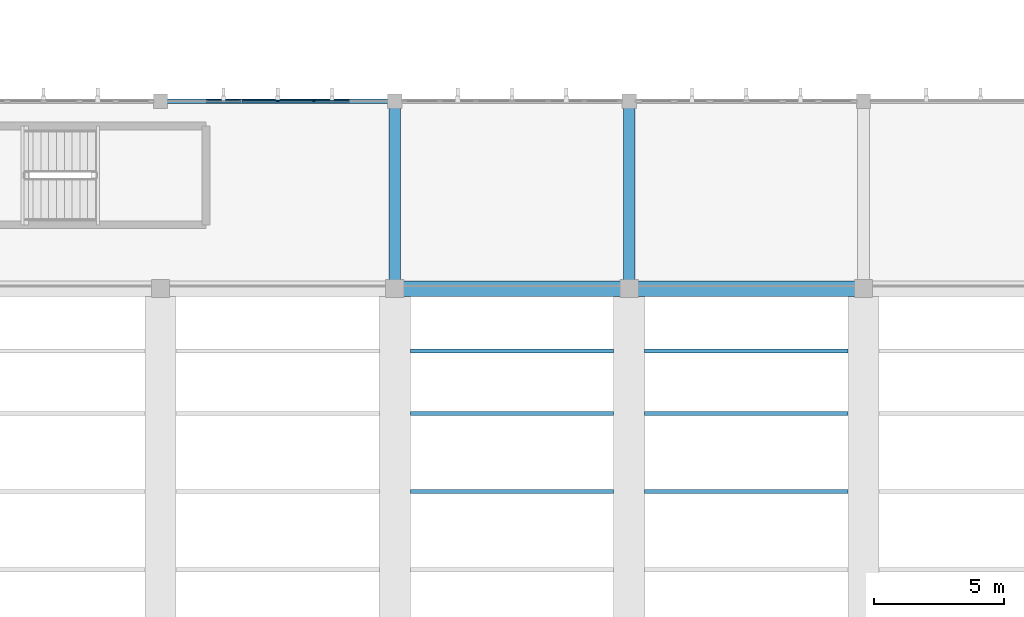
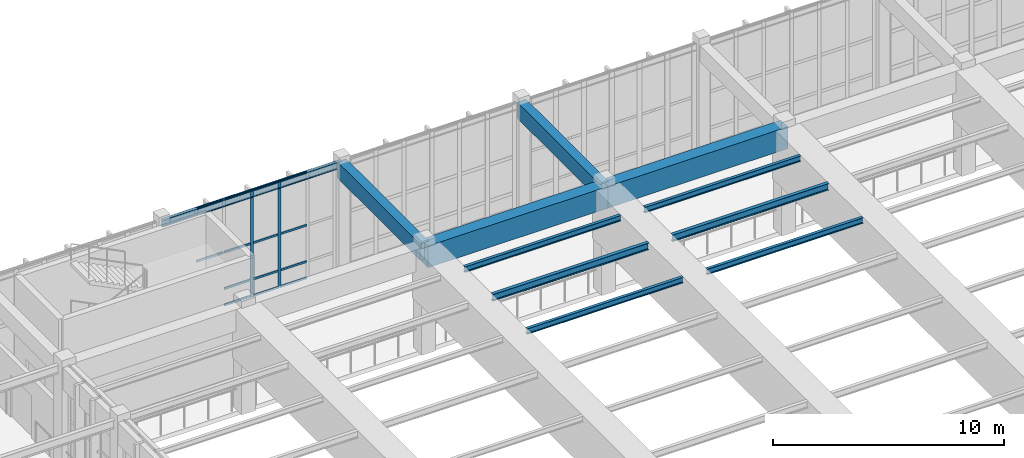
# One storey, part 40 of 105: 16 members, 11 beams, 1 element without a shape of its own.
"""IFC4 building model written with IfcOpenShell, lengths in metres."""

from ifc_helpers import new_model, si_unit, direction, frame, origin, origin_2d, place, context, subcontext, project, spatial, rectangle, i_section, extrude, material, material_profile, profile_set, type_object, element, aggregate, save


model = new_model("IFC4")

# Units and contexts
model_context = context("Model", 3, precision=1e-05, world=origin(), true_north=direction((0.0, 1.0)))
body_context = subcontext(model_context, "Body", "Model", "MODEL_VIEW")
ifc_project = project(units=[si_unit("LENGTHUNIT", "METRE"), si_unit("AREAUNIT", "SQUARE_METRE"), si_unit("VOLUMEUNIT", "CUBIC_METRE"), si_unit("PLANEANGLEUNIT", "RADIAN"), si_unit("MASSUNIT", "GRAM", prefix="KILO")], contexts=[model_context])

# Site, building, storey
site_placement = place(None, origin())
site = spatial("IfcSite", under=ifc_project, at=site_placement, CompositionType="ELEMENT")
building_placement = place(site_placement, origin())
building = spatial("IfcBuilding", under=site, at=building_placement, Name="Tizgana Railside Sports Hall", CompositionType="ELEMENT")
storey_placement = place(building_placement, frame((0.0, 0.0, 6.0)))
storey = spatial("IfcBuildingStorey", under=building, at=storey_placement, Name="L01", CompositionType="ELEMENT", Elevation=6.0)

# Beams
ifc_material_1 = material(Name="Concrete C40/50", Category="concrete")
ifc_material_profile_1 = material_profile(ifc_material_1, rectangle(XDim=0.449951171875, YDim=0.85009765625, at=origin_2d()), Name="RCB 450x850")
ifc_profile_set_1 = profile_set([ifc_material_profile_1], Name="Concrete C40/50")
beam_type_1 = type_object("IfcBeamType", Name="Concrete Beam RCB 450x850", PredefinedType="BEAM", material=ifc_profile_set_1)
for number, where, z_axis, x_axis, name in (
    (1, (97.800048828125, 73.199951171875, 5.2109375), (0.0, 1.0, 0.0), (-1.0, 0.0, 0.0), "L01 BEM-0252"),
    (2, (106.800048828125, 73.199951171875, 5.2109375), (0.0, 1.0, 0.0), (-1.0, 0.0, 0.0), "L01 BEM-0254"),
):
    element("IfcBeam", number, at=place(storey_placement, frame(where, z_axis=z_axis, x_axis=x_axis)), inside=storey, type_object=beam_type_1, Name=name, PredefinedType="BEAM", context=body_context, shape_type="SweptSolid", body=[
        extrude(rectangle(XDim=0.449951171875, YDim=0.85009765625, at=origin_2d()), origin(), (0.0, 0.0, 1.0), 7.199951171875),
    ])
ifc_material_profile_2 = material_profile(ifc_material_1, rectangle(XDim=0.60009765625, YDim=1.14990234375, at=origin_2d()), Name="RCB 600x1150")
ifc_profile_set_2 = profile_set([ifc_material_profile_2], Name="Concrete C40/50")
beam_type_2 = type_object("IfcBeamType", Name="Concrete Beam RCB 600x1150", PredefinedType="BEAM", material=ifc_profile_set_2)
for number, where, z_axis, x_axis, name in (
    (3, (97.800048828125, 73.199951171875, 5.06103515625), (1.0, 0.0, 0.0), (0.0, 1.0, 0.0), "L01 BEM-0290"),
    (4, (106.800048828125, 73.199951171875, 5.06103515625), (1.0, 0.0, 0.0), (0.0, 1.0, 0.0), "L01 BEM-0302"),
):
    element("IfcBeam", number, at=place(storey_placement, frame(where, z_axis=z_axis, x_axis=x_axis)), inside=storey, type_object=beam_type_2, Name=name, PredefinedType="BEAM", context=body_context, shape_type="SweptSolid", body=[
        extrude(rectangle(XDim=0.60009765625, YDim=1.14990234375, at=origin_2d()), origin(), (0.0, 0.0, 1.0), 9.0),
    ])

# Curtain wall, members
ifc_material_2 = material(Name="Anodised aluminium and glass", Category="aluminium")
curtain_wall_type = type_object("IfcCurtainWallType", Name="Unitised Curtain Wall Studio 1400", PredefinedType="NOTDEFINED", material=ifc_material_2)
curtain_wall_placement = place(storey_placement, origin())
curtain_wall = element("IfcCurtainWall", 5, at=curtain_wall_placement, inside=storey, type_object=curtain_wall_type, Name="L01 Curtain Wall CW-0018", PredefinedType="NOTDEFINED")
ifc_material_3 = material(Name="Anodised aluminium", Category="aluminium")
ifc_material_profile_3 = material_profile(ifc_material_3, rectangle(XDim=0.06005859375, YDim=0.139892578125, at=origin_2d()), Name="Mullion 60x140")
ifc_profile_set_3 = profile_set([ifc_material_profile_3], Name="Anodised aluminium")
member_type_1 = type_object("IfcMemberType", Name="Mullion 60x140", PredefinedType="MULLION", material=ifc_profile_set_3)
member_1_placement = place(storey_placement, frame((93.300048828125, 80.39990234375, 0.0), z_axis=(0.0, 0.0, 1.0), x_axis=(0.0, 1.0, 0.0)))
member_1 = element("IfcMember", 6, at=member_1_placement, type_object=member_type_1, Name="CW-03 mullion 4", PredefinedType="MULLION", context=body_context, shape_type="SweptSolid", body=[
    extrude(rectangle(XDim=0.06005859375, YDim=0.139892578125, at=origin_2d()), origin(), (0.0, 0.0, 1.0), 5.639892578125),
])
member_2_placement = place(storey_placement, frame((94.68994140625, 80.39990234375, 0.0), z_axis=(0.0, 0.0, 1.0), x_axis=(0.0, 1.0, 0.0)))
member_2 = element("IfcMember", 7, at=member_2_placement, type_object=member_type_1, Name="CW-03 mullion 5", PredefinedType="MULLION", context=body_context, shape_type="SweptSolid", body=[
    extrude(rectangle(XDim=0.06005859375, YDim=0.139892578125, at=origin_2d()), origin(), (0.0, 0.0, 1.0), 5.639892578125),
])

# Beams
ifc_material_4 = material(Name="Steel S355J2", Category="steel")
ifc_material_profile_4 = material_profile(ifc_material_4, i_section(OverallWidth=0.14990234375, OverallDepth=0.300048828125, WebThickness=0.007080078125, FlangeThickness=0.0107421875, FilletRadius=0.014892578125, at=origin_2d()), Name="IPE 300")
ifc_profile_set_4 = profile_set([ifc_material_profile_4], Name="Steel S355J2")
beam_type_3 = type_object("IfcBeamType", Name="Steel Joist IPE 300", PredefinedType="JOIST", material=ifc_profile_set_4)
for number, where, z_axis, x_axis, name in (
    (8, (98.39501953125, 65.39990234375, 5.486083984375), (1.0, 0.0, 0.0), (0.0, 1.0, 0.0), "L01 BEM-0295"),
    (9, (98.39501953125, 70.800048828125, 5.486083984375), (1.0, 0.0, 0.0), (0.0, 1.0, 0.0), "L01 BEM-0296"),
    (10, (107.39501953125, 65.39990234375, 5.486083984375), (1.0, 0.0, 0.0), (0.0, 1.0, 0.0), "L01 BEM-0307"),
    (11, (107.39501953125, 70.800048828125, 5.486083984375), (1.0, 0.0, 0.0), (0.0, 1.0, 0.0), "L01 BEM-0308"),
):
    element("IfcBeam", number, at=place(storey_placement, frame(where, z_axis=z_axis, x_axis=x_axis)), inside=storey, type_object=beam_type_3, Name=name, PredefinedType="JOIST", context=body_context, shape_type="SweptSolid", body=[
        extrude(i_section(OverallWidth=0.14990234375, OverallDepth=0.300048828125, WebThickness=0.007080078125, FlangeThickness=0.0107421875, FilletRadius=0.014892578125, at=origin_2d()), origin(), (0.0, 0.0, 1.0), 7.81005859375),
    ])
ifc_material_profile_5 = material_profile(ifc_material_4, i_section(OverallWidth=0.169921875, OverallDepth=0.360107421875, WebThickness=0.008056640625, FlangeThickness=0.0126953125, FilletRadius=0.01806640625, at=origin_2d()), Name="IPE 360")
ifc_profile_set_5 = profile_set([ifc_material_profile_5], Name="Steel S355J2")
beam_type_4 = type_object("IfcBeamType", Name="Steel Joist IPE 360", PredefinedType="JOIST", material=ifc_profile_set_5)
beam_placement = place(storey_placement, frame((88.800048828125, 80.39990234375, 5.4560546875), z_axis=(1.0, 0.0, 0.0), x_axis=(0.0, 1.0, 0.0)))
element("IfcBeam", 12, at=beam_placement, inside=storey, type_object=beam_type_4, Name="L01 BEM-0279", PredefinedType="JOIST", context=body_context, shape_type="SweptSolid", body=[
    extrude(i_section(OverallWidth=0.169921875, OverallDepth=0.360107421875, WebThickness=0.008056640625, FlangeThickness=0.0126953125, FilletRadius=0.01806640625, at=origin_2d()), origin(), (0.0, 0.0, 1.0), 9.0),
])
for number, where, z_axis, x_axis, name in (
    (13, (98.39501953125, 68.39990234375, 5.4560546875), (1.0, 0.0, 0.0), (0.0, 1.0, 0.0), "L01 BEM-0289"),
    (14, (107.39501953125, 68.39990234375, 5.4560546875), (1.0, 0.0, 0.0), (0.0, 1.0, 0.0), "L01 BEM-0301"),
):
    element("IfcBeam", number, at=place(storey_placement, frame(where, z_axis=z_axis, x_axis=x_axis)), inside=storey, type_object=beam_type_4, Name=name, PredefinedType="JOIST", context=body_context, shape_type="SweptSolid", body=[
        extrude(i_section(OverallWidth=0.169921875, OverallDepth=0.360107421875, WebThickness=0.008056640625, FlangeThickness=0.0126953125, FilletRadius=0.01806640625, at=origin_2d()), origin(), (0.0, 0.0, 1.0), 7.81005859375),
    ])

# Member
ifc_material_profile_6 = material_profile(ifc_material_3, rectangle(XDim=0.06005859375, YDim=0.110107421875, at=origin_2d()), Name="Transom 60x110")
ifc_profile_set_6 = profile_set([ifc_material_profile_6], Name="Anodised aluminium")
member_type_2 = type_object("IfcMemberType", Name="Transom 60x110", PredefinedType="USERDEFINED", material=ifc_profile_set_6)
member_3_placement = place(storey_placement, frame((90.550048828125, 80.39990234375, 2.820068359375), z_axis=(1.0, 0.0, 0.0), x_axis=(0.0, 1.0, 0.0)))
member_3 = element("IfcMember", 15, at=member_3_placement, type_object=member_type_2, Name="CW-03 transom 2.3", ObjectType="TRANSOM", PredefinedType="USERDEFINED", context=body_context, shape_type="SweptSolid", body=[
    extrude(rectangle(XDim=0.06005859375, YDim=0.110107421875, at=origin_2d()), origin(), (0.0, 0.0, 1.0), 1.329833984375),
])

member_4_placement = place(storey_placement, frame((90.550048828125, 80.39990234375, 5.610107421875), z_axis=(1.0, 0.0, 0.0), x_axis=(0.0, 1.0, 0.0)))
member_4 = element("IfcMember", 16, at=member_4_placement, type_object=member_type_2, Name="CW-03 transom 2.4", ObjectType="TRANSOM", PredefinedType="USERDEFINED", context=body_context, shape_type="SweptSolid", body=[
    extrude(rectangle(XDim=0.06005859375, YDim=0.110107421875, at=origin_2d()), origin(), (0.0, 0.0, 1.0), 1.329833984375),
])

member_5_placement = place(storey_placement, frame((91.93994140625, 80.39990234375, 0.030029296875), z_axis=(1.0, 0.0, 0.0), x_axis=(0.0, 1.0, 0.0)))
member_5 = element("IfcMember", 17, at=member_5_placement, type_object=member_type_2, Name="CW-03 transom 3.1", ObjectType="TRANSOM", PredefinedType="USERDEFINED", context=body_context, shape_type="SweptSolid", body=[
    extrude(rectangle(XDim=0.06005859375, YDim=0.110107421875, at=origin_2d()), origin(), (0.0, 0.0, 1.0), 1.330078125),
])

member_6_placement = place(storey_placement, frame((91.93994140625, 80.39990234375, 0.89990234375), z_axis=(1.0, 0.0, 0.0), x_axis=(0.0, 1.0, 0.0)))
member_6 = element("IfcMember", 18, at=member_6_placement, type_object=member_type_2, Name="CW-03 transom 3.2", ObjectType="TRANSOM", PredefinedType="USERDEFINED", context=body_context, shape_type="SweptSolid", body=[
    extrude(rectangle(XDim=0.06005859375, YDim=0.110107421875, at=origin_2d()), origin(), (0.0, 0.0, 1.0), 1.330078125),
])

member_7_placement = place(storey_placement, frame((91.93994140625, 80.39990234375, 2.820068359375), z_axis=(1.0, 0.0, 0.0), x_axis=(0.0, 1.0, 0.0)))
member_7 = element("IfcMember", 19, at=member_7_placement, type_object=member_type_2, Name="CW-03 transom 3.3", ObjectType="TRANSOM", PredefinedType="USERDEFINED", context=body_context, shape_type="SweptSolid", body=[
    extrude(rectangle(XDim=0.06005859375, YDim=0.110107421875, at=origin_2d()), origin(), (0.0, 0.0, 1.0), 1.330078125),
])

member_8_placement = place(storey_placement, frame((91.93994140625, 80.39990234375, 5.610107421875), z_axis=(1.0, 0.0, 0.0), x_axis=(0.0, 1.0, 0.0)))
member_8 = element("IfcMember", 20, at=member_8_placement, type_object=member_type_2, Name="CW-03 transom 3.4", ObjectType="TRANSOM", PredefinedType="USERDEFINED", context=body_context, shape_type="SweptSolid", body=[
    extrude(rectangle(XDim=0.06005859375, YDim=0.110107421875, at=origin_2d()), origin(), (0.0, 0.0, 1.0), 1.330078125),
])

member_9_placement = place(storey_placement, frame((93.330078125, 80.39990234375, 0.030029296875), z_axis=(1.0, 0.0, 0.0), x_axis=(0.0, 1.0, 0.0)))
member_9 = element("IfcMember", 21, at=member_9_placement, type_object=member_type_2, Name="CW-03 transom 4.1", ObjectType="TRANSOM", PredefinedType="USERDEFINED", context=body_context, shape_type="SweptSolid", body=[
    extrude(rectangle(XDim=0.06005859375, YDim=0.110107421875, at=origin_2d()), origin(), (0.0, 0.0, 1.0), 1.329833984375),
])

member_10_placement = place(storey_placement, frame((93.330078125, 80.39990234375, 0.89990234375), z_axis=(1.0, 0.0, 0.0), x_axis=(0.0, 1.0, 0.0)))
member_10 = element("IfcMember", 22, at=member_10_placement, type_object=member_type_2, Name="CW-03 transom 4.2", ObjectType="TRANSOM", PredefinedType="USERDEFINED", context=body_context, shape_type="SweptSolid", body=[
    extrude(rectangle(XDim=0.06005859375, YDim=0.110107421875, at=origin_2d()), origin(), (0.0, 0.0, 1.0), 1.329833984375),
])

member_11_placement = place(storey_placement, frame((93.330078125, 80.39990234375, 2.820068359375), z_axis=(1.0, 0.0, 0.0), x_axis=(0.0, 1.0, 0.0)))
member_11 = element("IfcMember", 23, at=member_11_placement, type_object=member_type_2, Name="CW-03 transom 4.3", ObjectType="TRANSOM", PredefinedType="USERDEFINED", context=body_context, shape_type="SweptSolid", body=[
    extrude(rectangle(XDim=0.06005859375, YDim=0.110107421875, at=origin_2d()), origin(), (0.0, 0.0, 1.0), 1.329833984375),
])

member_12_placement = place(storey_placement, frame((93.330078125, 80.39990234375, 5.610107421875), z_axis=(1.0, 0.0, 0.0), x_axis=(0.0, 1.0, 0.0)))
member_12 = element("IfcMember", 24, at=member_12_placement, type_object=member_type_2, Name="CW-03 transom 4.4", ObjectType="TRANSOM", PredefinedType="USERDEFINED", context=body_context, shape_type="SweptSolid", body=[
    extrude(rectangle(XDim=0.06005859375, YDim=0.110107421875, at=origin_2d()), origin(), (0.0, 0.0, 1.0), 1.329833984375),
])

member_13_placement = place(storey_placement, frame((94.719970703125, 80.39990234375, 0.030029296875), z_axis=(1.0, 0.0, 0.0), x_axis=(0.0, 1.0, 0.0)))
member_13 = element("IfcMember", 25, at=member_13_placement, type_object=member_type_2, Name="CW-03 transom 5.1", ObjectType="TRANSOM", PredefinedType="USERDEFINED", context=body_context, shape_type="SweptSolid", body=[
    extrude(rectangle(XDim=0.06005859375, YDim=0.110107421875, at=origin_2d()), origin(), (0.0, 0.0, 1.0), 1.330078125),
])

member_14_placement = place(storey_placement, frame((94.719970703125, 80.39990234375, 0.89990234375), z_axis=(1.0, 0.0, 0.0), x_axis=(0.0, 1.0, 0.0)))
member_14 = element("IfcMember", 26, at=member_14_placement, type_object=member_type_2, Name="CW-03 transom 5.2", ObjectType="TRANSOM", PredefinedType="USERDEFINED", context=body_context, shape_type="SweptSolid", body=[
    extrude(rectangle(XDim=0.06005859375, YDim=0.110107421875, at=origin_2d()), origin(), (0.0, 0.0, 1.0), 1.330078125),
])

member_15_placement = place(storey_placement, frame((94.719970703125, 80.39990234375, 2.820068359375), z_axis=(1.0, 0.0, 0.0), x_axis=(0.0, 1.0, 0.0)))
member_15 = element("IfcMember", 27, at=member_15_placement, type_object=member_type_2, Name="CW-03 transom 5.3", ObjectType="TRANSOM", PredefinedType="USERDEFINED", context=body_context, shape_type="SweptSolid", body=[
    extrude(rectangle(XDim=0.06005859375, YDim=0.110107421875, at=origin_2d()), origin(), (0.0, 0.0, 1.0), 1.330078125),
])

member_16_placement = place(storey_placement, frame((94.719970703125, 80.39990234375, 5.610107421875), z_axis=(1.0, 0.0, 0.0), x_axis=(0.0, 1.0, 0.0)))
member_16 = element("IfcMember", 28, at=member_16_placement, type_object=member_type_2, Name="CW-03 transom 5.4", ObjectType="TRANSOM", PredefinedType="USERDEFINED", context=body_context, shape_type="SweptSolid", body=[
    extrude(rectangle(XDim=0.06005859375, YDim=0.110107421875, at=origin_2d()), origin(), (0.0, 0.0, 1.0), 1.330078125),
])

aggregate(curtain_wall, [member_1, member_2, member_3, member_4, member_5, member_6, member_7, member_8, member_9, member_10, member_11, member_12, member_13, member_14, member_15, member_16])

save(model, "model.ifc")
